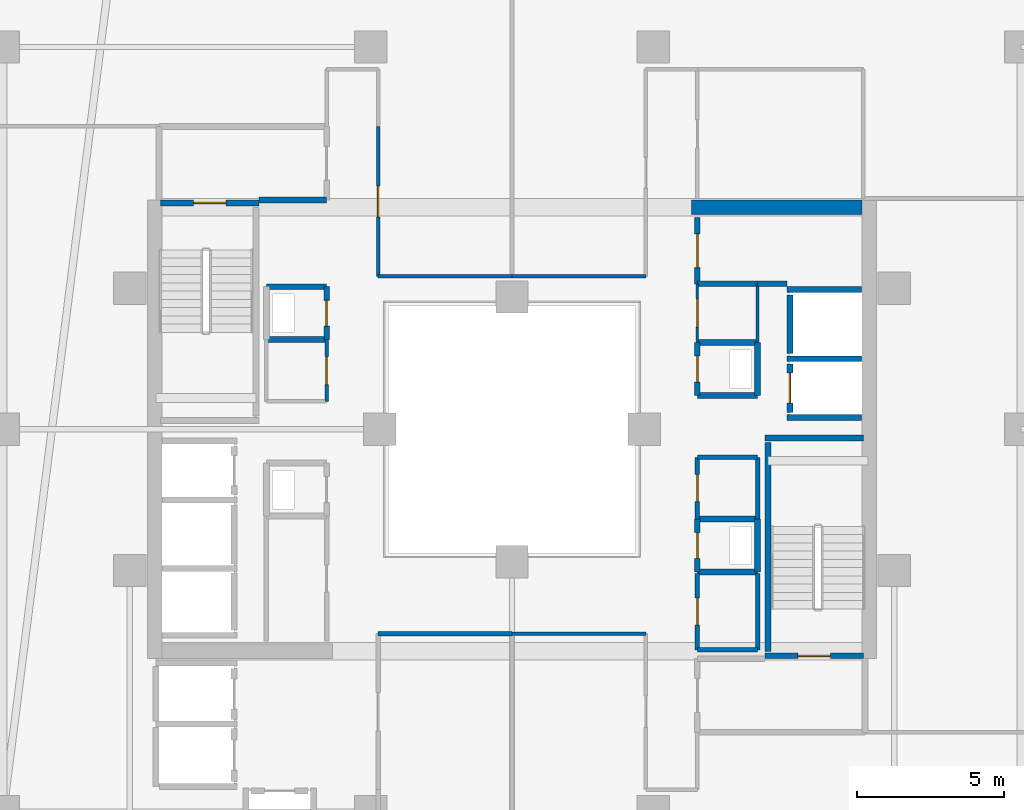
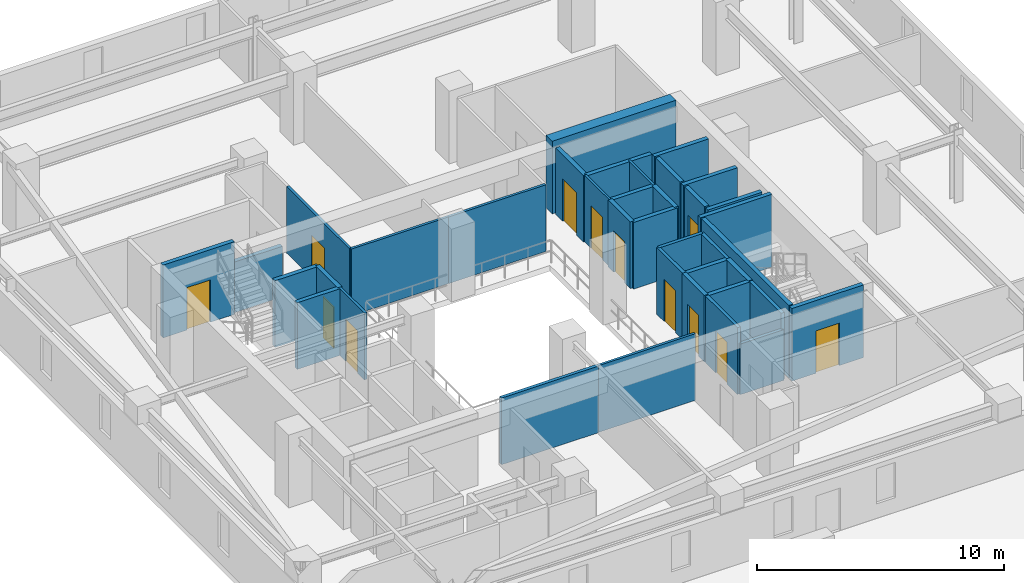
# One storey, part 23 of 30: 39 walls, 12 doors, 12 openings.
"""IFC4 building model written with IfcOpenShell, lengths in metres."""

from ifc_helpers import new_model, si_unit, direction, frame, frame_2d, origin, place, context, subcontext, project, spatial, rectangle, extrude, material, layer, layer_set, type_object, element, fill, save


model = new_model("IFC4")

# Units and contexts
model_context = context("Model", 3, precision=1e-05, world=origin(), true_north=direction((0.0, 1.0)))
body_context = subcontext(model_context, "Body", "Model", "MODEL_VIEW")
ifc_project = project(units=[si_unit("LENGTHUNIT", "METRE"), si_unit("AREAUNIT", "SQUARE_METRE"), si_unit("VOLUMEUNIT", "CUBIC_METRE"), si_unit("PLANEANGLEUNIT", "RADIAN"), si_unit("MASSUNIT", "GRAM", prefix="KILO")], contexts=[model_context])

# Site, building, storey
site_placement = place(None, origin())
site = spatial("IfcSite", under=ifc_project, at=site_placement, CompositionType="ELEMENT")
building_placement = place(site_placement, origin())
building = spatial("IfcBuilding", under=site, at=building_placement, Name="Thornwick Lancets Civic Towers", CompositionType="ELEMENT")
storey_placement = place(building_placement, frame((0.0, 0.0, 149.10009765625)))
storey = spatial("IfcBuildingStorey", under=building, at=storey_placement, Name="L39", CompositionType="ELEMENT", Elevation=149.10009765625)

# Wall, opening, door
ifc_material_1 = material(Name="Concrete blockwork C40/50", Category="masonry")
ifc_layer_1 = layer(ifc_material_1, 0.199951171875, Name="Concrete blockwork C40/50")
ifc_layer_set_1 = layer_set([ifc_layer_1], Name="Concrete blockwork C40/50")
wall_type_1 = type_object("IfcWallType", Name="WALL_COMP_200", PredefinedType="STANDARD", material=ifc_layer_set_1)
wall_1_placement = place(storey_placement, frame((97.949951171875, 29.219970703125, 0.0), z_axis=(0.0, 0.0, 1.0), x_axis=(0.0, -1.0, 0.0)))
wall_1 = element("IfcWall", 1, at=wall_1_placement, inside=storey, type_object=wall_type_1, Name="L39 Hoistway Front Wall FL-B1", PredefinedType="STANDARD", context=body_context, shape_type="SweptSolid", body=[
    extrude(rectangle(XDim=1.639892578125, YDim=0.199951171875, at=frame_2d((0.81982421875, 0.0))), origin(), (0.0, 0.0, 1.0), 3.2998046875),
])
opening_1_placement = place(wall_1_placement, frame((0.31005859375, 0.0, 0.0)))
opening_1 = element("IfcOpeningElement", 2, at=opening_1_placement, cuts=wall_1, Name="Opening LD-FL-B1", PredefinedType="OPENING", context=body_context, shape_type="SweptSolid", body=[
    extrude(rectangle(XDim=1.02001953125, YDim=2.06005859375, at=frame_2d((0.510009765625, 1.030029296875))), frame((0.0, 0.10986328125, 0.0), z_axis=(0.0, -1.0, 0.0), x_axis=(1.0, 0.0, 0.0)), (0.0, 0.0, 1.0), 0.219970703125),
])
ifc_material_2 = material(Name="Brushed bronze stainless steel", Category="steel")
door_type_1 = type_object("IfcDoorType", Name="DOOR_LIFT_SLIDE", OperationType="SLIDING_TO_LEFT", PredefinedType="DOOR", material=ifc_material_2)
door_1_placement = place(opening_1_placement, origin())
door_1 = element("IfcDoor", 3, at=door_1_placement, inside=storey, type_object=door_type_1, Name="L39 Sliding Lift Landing Door LD-FL-B1", OperationType="SLIDING_TO_LEFT", OverallHeight=2.06005859375, OverallWidth=1.02001953125, PredefinedType="DOOR", context=body_context, shape_type="SweptSolid", body=[
    extrude(rectangle(XDim=1.02001953125, YDim=2.06005859375, at=frame_2d((0.510009765625, 1.030029296875))), frame((0.0, 0.02490234375, 0.0), z_axis=(0.0, -1.0, 0.0), x_axis=(1.0, 0.0, 0.0)), (0.0, 0.0, 1.0), 0.050048828125),
])
fill(opening_1, door_1)

# Walls
wall_2_placement = place(storey_placement, frame((97.949951171875, 31.570068359375, 0.0), z_axis=(0.0, 0.0, 1.0), x_axis=(0.0, -1.0, 0.0)))
element("IfcWall", 4, at=wall_2_placement, inside=storey, type_object=wall_type_1, Name="L39 Hoistway Front Wall PL-BH1", PredefinedType="STANDARD", context=body_context, shape_type="SweptSolid", body=[
    extrude(rectangle(XDim=1.989990234375, YDim=0.199951171875, at=frame_2d((0.9951171875, 0.0))), origin(), (0.0, 0.0, 1.0), 3.2998046875),
])
for number, where, z_axis, x_axis, name in (
    (5, (97.85205078125, 29.39990234375, 0.0), (0.0, 0.0, 1.0), (1.0, 0.0, 0.0), "L39 Hoistway Shaft Wall FL-B1 N"),
    (6, (97.85205078125, 27.39990234375, 0.0), (0.0, 0.0, 1.0), (1.0, 0.0, 0.0), "L39 Hoistway Shaft Wall FL-B1 S"),
    (7, (97.85205078125, 31.75, 0.0), (0.0, 0.0, 1.0), (1.0, 0.0, 0.0), "L39 Hoistway Shaft Wall PL-BH1 N"),
):
    element("IfcWall", number, at=place(storey_placement, frame(where, z_axis=z_axis, x_axis=x_axis)), inside=storey, type_object=wall_type_1, Name=name, PredefinedType="STANDARD", context=body_context, shape_type="SweptSolid", body=[
        extrude(rectangle(XDim=2.535888671875, YDim=0.199951171875, at=frame_2d((1.26806640625, 0.0))), origin(), (0.0, 0.0, 1.0), 3.2998046875),
    ])
wall_3_placement = place(storey_placement, frame((79.89990234375, 34.800048828125, 0.0), z_axis=(0.0, 0.0, 1.0), x_axis=(1.0, 0.0, 0.0)))
element("IfcWall", 8, at=wall_3_placement, inside=storey, type_object=wall_type_1, Name="L39 Partition L39-B-FFLOB2 E1", PredefinedType="STANDARD", context=body_context, shape_type="SweptSolid", body=[
    extrude(rectangle(XDim=2.300048828125, YDim=0.199951171875, at=frame_2d((1.14990234375, 0.0))), origin(), (0.0, 0.0, 1.0), 2.5048828125),
])
wall_4_placement = place(storey_placement, frame((94.800048828125, 28.14990234375, 0.0), z_axis=(0.0, 0.0, 1.0), x_axis=(1.0, 0.0, 0.0)))
element("IfcWall", 9, at=wall_4_placement, inside=storey, type_object=wall_type_1, Name="L39 Partition L39-B-DUCT1 E1", PredefinedType="STANDARD", context=body_context, shape_type="SweptSolid", body=[
    extrude(rectangle(XDim=2.050048828125, YDim=0.199951171875, at=frame_2d((1.02490234375, 0.0))), origin(), (0.0, 0.0, 1.0), 3.2998046875),
])
wall_5_placement = place(storey_placement, frame((96.85009765625, 28.14990234375, 0.0), z_axis=(0.0, 0.0, 1.0), x_axis=(0.0, 1.0, 0.0)))
element("IfcWall", 10, at=wall_5_placement, inside=storey, type_object=wall_type_1, Name="L39 Partition L39-B-DUCT1 E2", PredefinedType="STANDARD", context=body_context, shape_type="SweptSolid", body=[
    extrude(rectangle(XDim=1.800048828125, YDim=0.199951171875, at=frame_2d((0.89990234375, 0.0))), origin(), (0.0, 0.0, 1.0), 3.2998046875),
])
wall_6_placement = place(storey_placement, frame((96.85009765625, 29.949951171875, 0.0), z_axis=(0.0, 0.0, 1.0), x_axis=(-1.0, 0.0, 0.0)))
element("IfcWall", 11, at=wall_6_placement, inside=storey, type_object=wall_type_1, Name="L39 Partition L39-B-DUCT1 E3", PredefinedType="STANDARD", context=body_context, shape_type="SweptSolid", body=[
    extrude(rectangle(XDim=2.050048828125, YDim=0.199951171875, at=frame_2d((1.02490234375, 0.0))), origin(), (0.0, 0.0, 1.0), 3.2998046875),
])

# Wall, opening, door
wall_7_placement = place(storey_placement, frame((94.800048828125, 29.949951171875, 0.0), z_axis=(0.0, 0.0, 1.0), x_axis=(0.0, -1.0, 0.0)))
wall_7 = element("IfcWall", 12, at=wall_7_placement, inside=storey, type_object=wall_type_1, Name="L39 Partition L39-B-DUCT1 E4", PredefinedType="STANDARD", context=body_context, shape_type="SweptSolid", body=[
    extrude(rectangle(XDim=1.800048828125, YDim=0.199951171875, at=frame_2d((0.89990234375, 0.0))), origin(), (0.0, 0.0, 1.0), 3.2998046875),
])
opening_2_placement = place(wall_7_placement, frame((0.4599609375, 0.0, 0.0)))
opening_2 = element("IfcOpeningElement", 13, at=opening_2_placement, cuts=wall_7, Name="Opening D-L39-1769", PredefinedType="OPENING", context=body_context, shape_type="SweptSolid", body=[
    extrude(rectangle(XDim=0.8798828125, YDim=2.0400390625, at=frame_2d((0.43994140625, 1.02001953125))), frame((0.0, 0.10986328125, 0.0), z_axis=(0.0, -1.0, 0.0), x_axis=(1.0, 0.0, 0.0)), (0.0, 0.0, 1.0), 0.219970703125),
])
ifc_material_3 = material(Name="Steel riser access doorset", Category="steel")
door_type_2 = type_object("IfcDoorType", Name="DOOR_RISER_850", OperationType="NOTDEFINED", PredefinedType="DOOR", material=ifc_material_3)
door_2_placement = place(opening_2_placement, origin())
door_2 = element("IfcDoor", 14, at=door_2_placement, inside=storey, type_object=door_type_2, Name="L39 East Service Duct 1 Door", OperationType="SINGLE_SWING_RIGHT", OverallHeight=2.0400390625, OverallWidth=0.8798828125, PredefinedType="DOOR", context=body_context, shape_type="SweptSolid", body=[
    extrude(rectangle(XDim=0.8798828125, YDim=2.0400390625, at=frame_2d((0.43994140625, 1.02001953125))), frame((0.0, 0.02490234375, 0.0), z_axis=(0.0, -1.0, 0.0), x_axis=(1.0, 0.0, 0.0)), (0.0, 0.0, 1.0), 0.050048828125),
])
fill(opening_2, door_2)

# Walls
wall_8_placement = place(storey_placement, frame((94.800048828125, 22.14990234375, 0.0), z_axis=(0.0, 0.0, 1.0), x_axis=(1.0, 0.0, 0.0)))
element("IfcWall", 15, at=wall_8_placement, inside=storey, type_object=wall_type_1, Name="L39 Partition L39-B-RISER1 E1", PredefinedType="STANDARD", context=body_context, shape_type="SweptSolid", body=[
    extrude(rectangle(XDim=2.050048828125, YDim=0.199951171875, at=frame_2d((1.02490234375, 0.0))), origin(), (0.0, 0.0, 1.0), 3.2998046875),
])
wall_9_placement = place(storey_placement, frame((96.85009765625, 22.14990234375, 0.0), z_axis=(0.0, 0.0, 1.0), x_axis=(0.0, 1.0, 0.0)))
element("IfcWall", 16, at=wall_9_placement, inside=storey, type_object=wall_type_1, Name="L39 Partition L39-B-RISER1 E2", PredefinedType="STANDARD", context=body_context, shape_type="SweptSolid", body=[
    extrude(rectangle(XDim=1.800048828125, YDim=0.199951171875, at=frame_2d((0.89990234375, 0.0))), origin(), (0.0, 0.0, 1.0), 3.2998046875),
])
wall_10_placement = place(storey_placement, frame((96.85009765625, 23.949951171875, 0.0), z_axis=(0.0, 0.0, 1.0), x_axis=(-1.0, 0.0, 0.0)))
element("IfcWall", 17, at=wall_10_placement, inside=storey, type_object=wall_type_1, Name="L39 Partition L39-B-RISER1 E3", PredefinedType="STANDARD", context=body_context, shape_type="SweptSolid", body=[
    extrude(rectangle(XDim=2.050048828125, YDim=0.199951171875, at=frame_2d((1.02490234375, 0.0))), origin(), (0.0, 0.0, 1.0), 3.2998046875),
])

# Wall, opening, door
wall_11_placement = place(storey_placement, frame((94.800048828125, 23.949951171875, 0.0), z_axis=(0.0, 0.0, 1.0), x_axis=(0.0, -1.0, 0.0)))
wall_11 = element("IfcWall", 18, at=wall_11_placement, inside=storey, type_object=wall_type_1, Name="L39 Partition L39-B-RISER1 E4", PredefinedType="STANDARD", context=body_context, shape_type="SweptSolid", body=[
    extrude(rectangle(XDim=1.800048828125, YDim=0.199951171875, at=frame_2d((0.89990234375, 0.0))), origin(), (0.0, 0.0, 1.0), 3.2998046875),
])
opening_3_placement = place(wall_11_placement, frame((0.4599609375, 0.0, 0.0)))
opening_3 = element("IfcOpeningElement", 19, at=opening_3_placement, cuts=wall_11, Name="Opening D-L39-1770", PredefinedType="OPENING", context=body_context, shape_type="SweptSolid", body=[
    extrude(rectangle(XDim=0.8798828125, YDim=2.0400390625, at=frame_2d((0.43994140625, 1.02001953125))), frame((0.0, 0.10986328125, 0.0), z_axis=(0.0, -1.0, 0.0), x_axis=(1.0, 0.0, 0.0)), (0.0, 0.0, 1.0), 0.219970703125),
])
door_3_placement = place(opening_3_placement, origin())
door_3 = element("IfcDoor", 20, at=door_3_placement, inside=storey, type_object=door_type_2, Name="L39 East Electrical Riser 1 Door", OperationType="SINGLE_SWING_LEFT", OverallHeight=2.0400390625, OverallWidth=0.8798828125, PredefinedType="DOOR", context=body_context, shape_type="SweptSolid", body=[
    extrude(rectangle(XDim=0.8798828125, YDim=2.0400390625, at=frame_2d((0.43994140625, 1.02001953125))), frame((0.0, 0.02490234375, 0.0), z_axis=(0.0, -1.0, 0.0), x_axis=(1.0, 0.0, 0.0)), (0.0, 0.0, 1.0), 0.050048828125),
])
fill(opening_3, door_3)

# Wall
wall_12_placement = place(storey_placement, frame((80.14990234375, 30.050048828125, 0.0), z_axis=(0.0, 0.0, 1.0), x_axis=(1.0, 0.0, 0.0)))
element("IfcWall", 21, at=wall_12_placement, inside=storey, type_object=wall_type_1, Name="L39 Partition L39-B-RISER2 E1", PredefinedType="STANDARD", context=body_context, shape_type="SweptSolid", body=[
    extrude(rectangle(XDim=2.050048828125, YDim=0.199951171875, at=frame_2d((1.02490234375, 0.0))), origin(), (0.0, 0.0, 1.0), 3.2998046875),
])

# Wall, opening, door
wall_13_placement = place(storey_placement, frame((82.199951171875, 30.050048828125, 0.0), z_axis=(0.0, 0.0, 1.0), x_axis=(0.0, 1.0, 0.0)))
wall_13 = element("IfcWall", 22, at=wall_13_placement, inside=storey, type_object=wall_type_1, Name="L39 Partition L39-B-RISER2 E2", PredefinedType="STANDARD", context=body_context, shape_type="SweptSolid", body=[
    extrude(rectangle(XDim=1.800048828125, YDim=0.199951171875, at=frame_2d((0.89990234375, 0.0))), origin(), (0.0, 0.0, 1.0), 3.2998046875),
])
opening_4_placement = place(wall_13_placement, frame((0.4599609375, 0.0, 0.0)))
opening_4 = element("IfcOpeningElement", 23, at=opening_4_placement, cuts=wall_13, Name="Opening D-L39-1772", PredefinedType="OPENING", context=body_context, shape_type="SweptSolid", body=[
    extrude(rectangle(XDim=0.8798828125, YDim=2.0400390625, at=frame_2d((0.43994140625, 1.02001953125))), frame((0.0, 0.10986328125, 0.0), z_axis=(0.0, -1.0, 0.0), x_axis=(1.0, 0.0, 0.0)), (0.0, 0.0, 1.0), 0.219970703125),
])
door_4_placement = place(opening_4_placement, origin())
door_4 = element("IfcDoor", 24, at=door_4_placement, inside=storey, type_object=door_type_2, Name="L39 West Service Riser 2 Door", OperationType="SINGLE_SWING_LEFT", OverallHeight=2.0400390625, OverallWidth=0.8798828125, PredefinedType="DOOR", context=body_context, shape_type="SweptSolid", body=[
    extrude(rectangle(XDim=0.8798828125, YDim=2.0400390625, at=frame_2d((0.43994140625, 1.02001953125))), frame((0.0, 0.02490234375, 0.0), z_axis=(0.0, -1.0, 0.0), x_axis=(1.0, 0.0, 0.0)), (0.0, 0.0, 1.0), 0.050048828125),
])
fill(opening_4, door_4)

# Wall
wall_14_placement = place(storey_placement, frame((82.199951171875, 31.85009765625, 0.0), z_axis=(0.0, 0.0, 1.0), x_axis=(-1.0, 0.0, 0.0)))
element("IfcWall", 25, at=wall_14_placement, inside=storey, type_object=wall_type_1, Name="L39 Partition L39-B-RISER2 E3", PredefinedType="STANDARD", context=body_context, shape_type="SweptSolid", body=[
    extrude(rectangle(XDim=2.050048828125, YDim=0.199951171875, at=frame_2d((1.02490234375, 0.0))), origin(), (0.0, 0.0, 1.0), 3.2998046875),
])

# Wall, opening, door
wall_15_placement = place(storey_placement, frame((94.800048828125, 31.949951171875, 0.0), z_axis=(0.0, 0.0, 1.0), x_axis=(0.0, 1.0, 0.0)))
wall_15 = element("IfcWall", 26, at=wall_15_placement, inside=storey, type_object=wall_type_1, Name="L39 Partition L39-B-ITR2 E1", PredefinedType="STANDARD", context=body_context, shape_type="SweptSolid", body=[
    extrude(rectangle(XDim=2.25, YDim=0.199951171875, at=frame_2d((1.125, 0.0))), origin(), (0.0, 0.0, 1.0), 3.2998046875),
])
opening_5_placement = place(wall_15_placement, frame((0.550048828125, 0.0, 0.0)))
opening_5 = element("IfcOpeningElement", 27, at=opening_5_placement, cuts=wall_15, Name="Opening D-L39-1776", PredefinedType="OPENING", context=body_context, shape_type="SweptSolid", body=[
    extrude(rectangle(XDim=1.14990234375, YDim=2.10009765625, at=frame_2d((0.574951171875, 1.050048828125))), frame((0.0, 0.10986328125, 0.0), z_axis=(0.0, -1.0, 0.0), x_axis=(1.0, 0.0, 0.0)), (0.0, 0.0, 1.0), 0.219970703125),
])
ifc_material_4 = material(Name="Glazed fire-resisting steel", Category="steel")
door_type_3 = type_object("IfcDoorType", Name="DOOR_LOBBY_FD60", OperationType="NOTDEFINED", PredefinedType="DOOR", material=ifc_material_4)
door_5_placement = place(opening_5_placement, origin())
door_5 = element("IfcDoor", 28, at=door_5_placement, inside=storey, type_object=door_type_3, Name="L39 Tower B Statutory Core Archive Door", OperationType="SINGLE_SWING_LEFT", OverallHeight=2.10009765625, OverallWidth=1.14990234375, PredefinedType="DOOR", context=body_context, shape_type="SweptSolid", body=[
    extrude(rectangle(XDim=1.14990234375, YDim=2.10009765625, at=frame_2d((0.574951171875, 1.050048828125))), frame((0.0, 0.02490234375, 0.0), z_axis=(0.0, -1.0, 0.0), x_axis=(1.0, 0.0, 0.0)), (0.0, 0.0, 1.0), 0.050048828125),
])
fill(opening_5, door_5)

# Walls
wall_16_placement = place(storey_placement, frame((97.85205078125, 31.949951171875, 0.0), z_axis=(0.0, 0.0, 1.0), x_axis=(-1.0, 0.0, 0.0)))
element("IfcWall", 29, at=wall_16_placement, inside=storey, type_object=wall_type_1, Name="L39 Partition L39-B-ITR2 E4", PredefinedType="STANDARD", context=body_context, shape_type="SweptSolid", body=[
    extrude(rectangle(XDim=1.001953125, YDim=0.199951171875, at=frame_2d((0.5009765625, 0.0))), origin(), (0.0, 0.0, 1.0), 3.2998046875),
])
wall_17_placement = place(storey_placement, frame((96.85009765625, 31.949951171875, 0.0), z_axis=(0.0, 0.0, 1.0), x_axis=(-1.0, 0.0, 0.0)))
element("IfcWall", 30, at=wall_17_placement, inside=storey, type_object=wall_type_1, Name="L39 Partition L39-B-ITR2 E5", PredefinedType="STANDARD", context=body_context, shape_type="SweptSolid", body=[
    extrude(rectangle(XDim=2.050048828125, YDim=0.199951171875, at=frame_2d((1.02490234375, 0.0))), origin(), (0.0, 0.0, 1.0), 3.2998046875),
])
ifc_material_5 = material(Name="Concrete C50/60", Category="concrete")
ifc_layer_2 = layer(ifc_material_5, 0.5, Name="Concrete C50/60")
ifc_layer_set_2 = layer_set([ifc_layer_2], Name="Concrete C50/60")
wall_type_2 = type_object("IfcWallType", Name="WALL_CORE_500", PredefinedType="SHEAR", material=ifc_layer_set_2)
wall_18_placement = place(storey_placement, frame((94.60009765625, 34.550048828125, 0.0), z_axis=(0.0, 0.0, 1.0), x_axis=(1.0, 0.0, 0.0)))
element("IfcWall", 31, at=wall_18_placement, inside=storey, type_object=wall_type_2, Name="L39 Split Core B1 Shear Wall N", PredefinedType="SHEAR", context=body_context, shape_type="SweptSolid", body=[
    extrude(rectangle(XDim=5.7998046875, YDim=0.5, at=frame_2d((2.89990234375, 0.0))), origin(), (0.0, 0.0, 1.0), 3.599853515625),
])

# Wall, opening, door
ifc_material_6 = material(Name="Lightweight cellular office partition")
ifc_layer_3 = layer(ifc_material_6, 0.10009765625, Name="Lightweight cellular office partition")
ifc_layer_set_3 = layer_set([ifc_layer_3], Name="Lightweight cellular office partition")
wall_type_3 = type_object("IfcWallType", Name="WALL_PART_100", PredefinedType="PARTITIONING", material=ifc_layer_set_3)
wall_19_placement = place(storey_placement, frame((94.800048828125, 29.949951171875, 0.0), z_axis=(0.0, 0.0, 1.0), x_axis=(0.0, 1.0, 0.0)))
wall_19 = element("IfcWall", 32, at=wall_19_placement, inside=storey, type_object=wall_type_3, Name="L39 Partition L39-B-CLN E1", PredefinedType="PARTITIONING", context=body_context, shape_type="SweptSolid", body=[
    extrude(rectangle(XDim=2.0, YDim=0.10009765625, at=frame_2d((1.0, 0.0))), origin(), (0.0, 0.0, 1.0), 3.2998046875),
])
opening_6_placement = place(wall_19_placement, frame((0.52490234375, 0.0, 0.0)))
opening_6 = element("IfcOpeningElement", 33, at=opening_6_placement, cuts=wall_19, Name="Opening D-L39-1775", PredefinedType="OPENING", context=body_context, shape_type="SweptSolid", body=[
    extrude(rectangle(XDim=0.949951171875, YDim=2.10009765625, at=frame_2d((0.47509765625, 1.050048828125))), frame((0.0, 0.06005859375, 0.0), z_axis=(0.0, -1.0, 0.0), x_axis=(1.0, 0.0, 0.0)), (0.0, 0.0, 1.0), 0.1201171875),
])
ifc_material_7 = material(Name="European oak acoustic doorset")
door_type_4 = type_object("IfcDoorType", Name="DOOR_OFFICE_950", OperationType="NOTDEFINED", PredefinedType="DOOR", material=ifc_material_7)
door_6_placement = place(opening_6_placement, origin())
door_6 = element("IfcDoor", 34, at=door_6_placement, inside=storey, type_object=door_type_4, Name="L39 Tower B Cleaners Store Door", OperationType="SINGLE_SWING_RIGHT", OverallHeight=2.10009765625, OverallWidth=0.949951171875, PredefinedType="DOOR", context=body_context, shape_type="SweptSolid", body=[
    extrude(rectangle(XDim=0.949951171875, YDim=2.10009765625, at=frame_2d((0.47509765625, 1.050048828125))), frame((0.0, 0.02490234375, 0.0), z_axis=(0.0, -1.0, 0.0), x_axis=(1.0, 0.0, 0.0)), (0.0, 0.0, 1.0), 0.050048828125),
])
fill(opening_6, door_6)

# Wall
wall_20_placement = place(storey_placement, frame((96.85009765625, 31.949951171875, 0.0), z_axis=(0.0, 0.0, 1.0), x_axis=(0.0, -1.0, 0.0)))
element("IfcWall", 35, at=wall_20_placement, inside=storey, type_object=wall_type_3, Name="L39 Partition L39-B-CLN E3", PredefinedType="PARTITIONING", context=body_context, shape_type="SweptSolid", body=[
    extrude(rectangle(XDim=2.0, YDim=0.10009765625, at=frame_2d((1.0, 0.0))), origin(), (0.0, 0.0, 1.0), 3.2998046875),
])

# Wall, opening, door
ifc_material_8 = material(Name="Acoustic gypsum board partition")
ifc_layer_4 = layer(ifc_material_8, 0.1201171875, Name="Acoustic gypsum board partition")
ifc_layer_set_4 = layer_set([ifc_layer_4], Name="Acoustic gypsum board partition")
wall_type_4 = type_object("IfcWallType", Name="WALL_PART_120", PredefinedType="PARTITIONING", material=ifc_layer_set_4)
wall_21_placement = place(storey_placement, frame((82.199951171875, 30.050048828125, 0.0), z_axis=(0.0, 0.0, 1.0), x_axis=(0.0, -1.0, 0.0)))
wall_21 = element("IfcWall", 36, at=wall_21_placement, inside=storey, type_object=wall_type_4, Name="L39 Partition L39-B-ITR E4", PredefinedType="PARTITIONING", context=body_context, shape_type="SweptSolid", body=[
    extrude(rectangle(XDim=2.10009765625, YDim=0.1201171875, at=frame_2d((1.050048828125, 0.0))), origin(), (0.0, 0.0, 1.0), 3.2998046875),
])
opening_7_placement = place(wall_21_placement, frame((0.574951171875, 0.0, 0.0)))
opening_7 = element("IfcOpeningElement", 37, at=opening_7_placement, cuts=wall_21, Name="Opening D-L39-1778", PredefinedType="OPENING", context=body_context, shape_type="SweptSolid", body=[
    extrude(rectangle(XDim=0.949951171875, YDim=2.10009765625, at=frame_2d((0.47509765625, 1.050048828125))), frame((0.0, 0.070068359375, 0.0), z_axis=(0.0, -1.0, 0.0), x_axis=(1.0, 0.0, 0.0)), (0.0, 0.0, 1.0), 0.14013671875),
])
door_7_placement = place(opening_7_placement, origin())
door_7 = element("IfcDoor", 38, at=door_7_placement, inside=storey, type_object=door_type_4, Name="L39 Tower B Comms Patch Room Door", OperationType="SINGLE_SWING_LEFT", OverallHeight=2.10009765625, OverallWidth=0.949951171875, PredefinedType="DOOR", context=body_context, shape_type="SweptSolid", body=[
    extrude(rectangle(XDim=0.949951171875, YDim=2.10009765625, at=frame_2d((0.47509765625, 1.050048828125))), frame((0.0, 0.02490234375, 0.0), z_axis=(0.0, -1.0, 0.0), x_axis=(1.0, 0.0, 0.0)), (0.0, 0.0, 1.0), 0.050048828125),
])
fill(opening_7, door_7)

# Walls
for number, where, z_axis, x_axis, name in (
    (39, (88.5, 20.050048828125, 0.0), (0.0, 0.0, 1.0), (1.0, 0.0, 0.0), "L39 Partition L39-B-W1 E3"),
    (40, (93.050048828125, 32.199951171875, 0.0), (0.0, 0.0, 1.0), (-1.0, 0.0, 0.0), "L39 Partition L39-B-E1 E5"),
):
    element("IfcWall", number, at=place(storey_placement, frame(where, z_axis=z_axis, x_axis=x_axis)), inside=storey, type_object=wall_type_4, Name=name, PredefinedType="PARTITIONING", context=body_context, shape_type="SweptSolid", body=[
        extrude(rectangle(XDim=4.550048828125, YDim=0.1201171875, at=frame_2d((2.27490234375, 0.0))), origin(), (0.0, 0.0, 1.0), 3.2998046875),
    ])

# Wall, opening, door
wall_22_placement = place(storey_placement, frame((83.949951171875, 32.199951171875, 0.0), z_axis=(0.0, 0.0, 1.0), x_axis=(0.0, 1.0, 0.0)))
wall_22 = element("IfcWall", 41, at=wall_22_placement, inside=storey, type_object=wall_type_4, Name="L39 Partition L39-B-E3 E1", PredefinedType="PARTITIONING", context=body_context, shape_type="SweptSolid", body=[
    extrude(rectangle(XDim=5.10009765625, YDim=0.1201171875, at=frame_2d((2.550048828125, 0.0))), origin(), (0.0, 0.0, 1.0), 3.2998046875),
])
opening_8_placement = place(wall_22_placement, frame((2.02490234375, 0.0, 0.0)))
opening_8 = element("IfcOpeningElement", 42, at=opening_8_placement, cuts=wall_22, Name="Opening D-L39-1788", PredefinedType="OPENING", context=body_context, shape_type="SweptSolid", body=[
    extrude(rectangle(XDim=1.050048828125, YDim=2.10009765625, at=frame_2d((0.52490234375, 1.050048828125))), frame((0.0, 0.070068359375, 0.0), z_axis=(0.0, -1.0, 0.0), x_axis=(1.0, 0.0, 0.0)), (0.0, 0.0, 1.0), 0.14013671875),
])
ifc_material_9 = material(Name="Glazed European oak executive doorset")
door_type_5 = type_object("IfcDoorType", Name="DOOR_OFFICE_1050", OperationType="NOTDEFINED", PredefinedType="DOOR", material=ifc_material_9)
door_8_placement = place(opening_8_placement, origin())
door_8 = element("IfcDoor", 43, at=door_8_placement, inside=storey, type_object=door_type_5, Name="L39 Tower B Civic Seminar Room Door", OperationType="SINGLE_SWING_LEFT", OverallHeight=2.10009765625, OverallWidth=1.050048828125, PredefinedType="DOOR", context=body_context, shape_type="SweptSolid", body=[
    extrude(rectangle(XDim=1.050048828125, YDim=2.10009765625, at=frame_2d((0.52490234375, 1.050048828125))), frame((0.0, 0.02490234375, 0.0), z_axis=(0.0, -1.0, 0.0), x_axis=(1.0, 0.0, 0.0)), (0.0, 0.0, 1.0), 0.050048828125),
])
fill(opening_8, door_8)

# Walls
wall_23_placement = place(storey_placement, frame((88.5, 32.199951171875, 0.0), z_axis=(0.0, 0.0, 1.0), x_axis=(-1.0, 0.0, 0.0)))
element("IfcWall", 44, at=wall_23_placement, inside=storey, type_object=wall_type_4, Name="L39 Partition L39-B-E3 E11", PredefinedType="PARTITIONING", context=body_context, shape_type="SweptSolid", body=[
    extrude(rectangle(XDim=4.550048828125, YDim=0.1201171875, at=frame_2d((2.27490234375, 0.0))), origin(), (0.0, 0.0, 1.0), 3.2998046875),
])
ifc_material_10 = material(Name="Twin-stud acoustic gypsum board")
ifc_layer_5 = layer(ifc_material_10, 0.14990234375, Name="Twin-stud acoustic gypsum board")
ifc_layer_set_5 = layer_set([ifc_layer_5], Name="Twin-stud acoustic gypsum board")
wall_type_5 = type_object("IfcWallType", Name="WALL_PART_150", PredefinedType="PARTITIONING", material=ifc_layer_set_5)
wall_24_placement = place(storey_placement, frame((94.800048828125, 19.5, 0.0), z_axis=(0.0, 0.0, 1.0), x_axis=(1.0, 0.0, 0.0)))
element("IfcWall", 45, at=wall_24_placement, inside=storey, type_object=wall_type_5, Name="L39 Partition L39-B-MWC E1", PredefinedType="PARTITIONING", context=body_context, shape_type="SweptSolid", body=[
    extrude(rectangle(XDim=2.050048828125, YDim=0.14990234375, at=frame_2d((1.02490234375, 0.0))), origin(), (0.0, 0.0, 1.0), 2.5048828125),
])
wall_25_placement = place(storey_placement, frame((96.85009765625, 19.5, 0.0), z_axis=(0.0, 0.0, 1.0), x_axis=(0.0, 1.0, 0.0)))
element("IfcWall", 46, at=wall_25_placement, inside=storey, type_object=wall_type_5, Name="L39 Partition L39-B-MWC E2", PredefinedType="PARTITIONING", context=body_context, shape_type="SweptSolid", body=[
    extrude(rectangle(XDim=2.60009765625, YDim=0.14990234375, at=frame_2d((1.300048828125, 0.0))), origin(), (0.0, 0.0, 1.0), 3.2998046875),
])

# Wall, opening, door
wall_26_placement = place(storey_placement, frame((94.800048828125, 22.10009765625, 0.0), z_axis=(0.0, 0.0, 1.0), x_axis=(0.0, -1.0, 0.0)))
wall_26 = element("IfcWall", 47, at=wall_26_placement, inside=storey, type_object=wall_type_5, Name="L39 Partition L39-B-MWC E4", PredefinedType="PARTITIONING", context=body_context, shape_type="SweptSolid", body=[
    extrude(rectangle(XDim=2.60009765625, YDim=0.14990234375, at=frame_2d((1.300048828125, 0.0))), origin(), (0.0, 0.0, 1.0), 3.2998046875),
])
opening_9_placement = place(wall_26_placement, frame((0.840087890625, 0.0, 0.0)))
opening_9 = element("IfcOpeningElement", 48, at=opening_9_placement, cuts=wall_26, Name="Opening D-L39-1773", PredefinedType="OPENING", context=body_context, shape_type="SweptSolid", body=[
    extrude(rectangle(XDim=0.919921875, YDim=2.080078125, at=frame_2d((0.4599609375, 1.0400390625))), frame((0.0, 0.0849609375, 0.0), z_axis=(0.0, -1.0, 0.0), x_axis=(1.0, 0.0, 0.0)), (0.0, 0.0, 1.0), 0.169921875),
])
ifc_material_11 = material(Name="Moisture-resistant oak doorset")
door_type_6 = type_object("IfcDoorType", Name="DOOR_WC_900", OperationType="NOTDEFINED", PredefinedType="DOOR", material=ifc_material_11)
door_9_placement = place(opening_9_placement, origin())
door_9 = element("IfcDoor", 49, at=door_9_placement, inside=storey, type_object=door_type_6, Name="L39 Tower B Male WC Door", OperationType="SINGLE_SWING_RIGHT", OverallHeight=2.080078125, OverallWidth=0.919921875, PredefinedType="DOOR", context=body_context, shape_type="SweptSolid", body=[
    extrude(rectangle(XDim=0.919921875, YDim=2.080078125, at=frame_2d((0.4599609375, 1.0400390625))), frame((0.0, 0.02490234375, 0.0), z_axis=(0.0, -1.0, 0.0), x_axis=(1.0, 0.0, 0.0)), (0.0, 0.0, 1.0), 0.050048828125),
])
fill(opening_9, door_9)

wall_27_placement = place(storey_placement, frame((94.800048828125, 23.949951171875, 0.0), z_axis=(0.0, 0.0, 1.0), x_axis=(0.0, 1.0, 0.0)))
wall_27 = element("IfcWall", 50, at=wall_27_placement, inside=storey, type_object=wall_type_5, Name="L39 Partition L39-B-AWC E1", PredefinedType="PARTITIONING", context=body_context, shape_type="SweptSolid", body=[
    extrude(rectangle(XDim=2.10009765625, YDim=0.14990234375, at=frame_2d((1.050048828125, 0.0))), origin(), (0.0, 0.0, 1.0), 3.2998046875),
])
opening_10_placement = place(wall_27_placement, frame((0.590087890625, 0.0, 0.0)))
opening_10 = element("IfcOpeningElement", 51, at=opening_10_placement, cuts=wall_27, Name="Opening D-L39-1774", PredefinedType="OPENING", context=body_context, shape_type="SweptSolid", body=[
    extrude(rectangle(XDim=0.919921875, YDim=2.080078125, at=frame_2d((0.4599609375, 1.0400390625))), frame((0.0, 0.0849609375, 0.0), z_axis=(0.0, -1.0, 0.0), x_axis=(1.0, 0.0, 0.0)), (0.0, 0.0, 1.0), 0.169921875),
])
door_10_placement = place(opening_10_placement, origin())
door_10 = element("IfcDoor", 52, at=door_10_placement, inside=storey, type_object=door_type_6, Name="L39 Tower B Accessible WC Door", OperationType="SINGLE_SWING_LEFT", OverallHeight=2.080078125, OverallWidth=0.919921875, PredefinedType="DOOR", context=body_context, shape_type="SweptSolid", body=[
    extrude(rectangle(XDim=0.919921875, YDim=2.080078125, at=frame_2d((0.4599609375, 1.0400390625))), frame((0.0, 0.02490234375, 0.0), z_axis=(0.0, -1.0, 0.0), x_axis=(1.0, 0.0, 0.0)), (0.0, 0.0, 1.0), 0.050048828125),
])
fill(opening_10, door_10)

# Walls
wall_28_placement = place(storey_placement, frame((94.800048828125, 26.050048828125, 0.0), z_axis=(0.0, 0.0, 1.0), x_axis=(1.0, 0.0, 0.0)))
element("IfcWall", 53, at=wall_28_placement, inside=storey, type_object=wall_type_5, Name="L39 Partition L39-B-AWC E2", PredefinedType="PARTITIONING", context=body_context, shape_type="SweptSolid", body=[
    extrude(rectangle(XDim=2.050048828125, YDim=0.14990234375, at=frame_2d((1.02490234375, 0.0))), origin(), (0.0, 0.0, 1.0), 3.2998046875),
])
wall_29_placement = place(storey_placement, frame((96.85009765625, 26.050048828125, 0.0), z_axis=(0.0, 0.0, 1.0), x_axis=(0.0, -1.0, 0.0)))
element("IfcWall", 54, at=wall_29_placement, inside=storey, type_object=wall_type_5, Name="L39 Partition L39-B-AWC E3", PredefinedType="PARTITIONING", context=body_context, shape_type="SweptSolid", body=[
    extrude(rectangle(XDim=2.10009765625, YDim=0.14990234375, at=frame_2d((1.050048828125, 0.0))), origin(), (0.0, 0.0, 1.0), 3.2998046875),
])
wall_30_placement = place(storey_placement, frame((83.949951171875, 20.050048828125, 0.0), z_axis=(0.0, 0.0, 1.0), x_axis=(1.0, 0.0, 0.0)))
element("IfcWall", 55, at=wall_30_placement, inside=storey, type_object=wall_type_5, Name="L39 Partition L39-B-W2 E2", PredefinedType="PARTITIONING", context=body_context, shape_type="SweptSolid", body=[
    extrude(rectangle(XDim=4.550048828125, YDim=0.14990234375, at=frame_2d((2.27490234375, 0.0))), origin(), (0.0, 0.0, 1.0), 3.2998046875),
])

# Wall, opening, door
ifc_material_12 = material(Name="Concrete C40/50", Category="concrete")
ifc_layer_6 = layer(ifc_material_12, 0.199951171875, Name="Concrete C40/50")
ifc_layer_set_6 = layer_set([ifc_layer_6], Name="Concrete C40/50")
wall_type_6 = type_object("IfcWallType", Name="WALL_SHAFT_200", PredefinedType="SHEAR", material=ifc_layer_set_6)
wall_31_placement = place(storey_placement, frame((100.449951171875, 19.300048828125, 0.0), z_axis=(0.0, 0.0, 1.0), x_axis=(-1.0, 0.0, 0.0)))
wall_31 = element("IfcWall", 56, at=wall_31_placement, inside=storey, type_object=wall_type_6, Name="L39 ST-B1 Fire Stair Core Wall NEAR", PredefinedType="SHEAR", context=body_context, shape_type="SweptSolid", body=[
    extrude(rectangle(XDim=3.349853515625, YDim=0.199951171875, at=frame_2d((1.6748046875, 0.0))), origin(), (0.0, 0.0, 1.0), 3.599853515625),
])
opening_11_placement = place(wall_31_placement, frame((1.125, 0.0, 0.0)))
opening_11 = element("IfcOpeningElement", 57, at=opening_11_placement, cuts=wall_31, Name="Opening D-ST-B1-L39", PredefinedType="OPENING", context=body_context, shape_type="SweptSolid", body=[
    extrude(rectangle(XDim=1.10009765625, YDim=2.10009765625, at=frame_2d((0.550048828125, 1.050048828125))), frame((0.0, 0.10986328125, 0.0), z_axis=(0.0, -1.0, 0.0), x_axis=(1.0, 0.0, 0.0)), (0.0, 0.0, 1.0), 0.219970703125),
])
ifc_material_13 = material(Name="Fire-resisting steel and hardwood", Category="steel")
door_type_7 = type_object("IfcDoorType", Name="DOOR_STAIR_FD60", OperationType="NOTDEFINED", PredefinedType="DOOR", material=ifc_material_13)
door_11_placement = place(opening_11_placement, origin())
door_11 = element("IfcDoor", 58, at=door_11_placement, inside=storey, type_object=door_type_7, Name="L39 ST-B1 Exit Stair Door", OperationType="SINGLE_SWING_RIGHT", OverallHeight=2.10009765625, OverallWidth=1.10009765625, PredefinedType="DOOR", context=body_context, shape_type="SweptSolid", body=[
    extrude(rectangle(XDim=1.10009765625, YDim=2.10009765625, at=frame_2d((0.550048828125, 1.050048828125))), frame((0.0, 0.02490234375, 0.0), z_axis=(0.0, -1.0, 0.0), x_axis=(1.0, 0.0, 0.0)), (0.0, 0.0, 1.0), 0.050048828125),
])
fill(opening_11, door_11)

# Walls
wall_32_placement = place(storey_placement, frame((97.10009765625, 26.699951171875, 0.0), z_axis=(0.0, 0.0, 1.0), x_axis=(1.0, 0.0, 0.0)))
element("IfcWall", 59, at=wall_32_placement, inside=storey, type_object=wall_type_6, Name="L39 ST-B1 Fire Stair Core Wall FAR", PredefinedType="SHEAR", context=body_context, shape_type="SweptSolid", body=[
    extrude(rectangle(XDim=3.349853515625, YDim=0.199951171875, at=frame_2d((1.6748046875, 0.0))), origin(), (0.0, 0.0, 1.0), 3.599853515625),
])
wall_33_placement = place(storey_placement, frame((97.202880859375, 26.550048828125, 0.0), z_axis=(0.0, 0.0, 1.0), x_axis=(0.0, -1.0, 0.0)))
element("IfcWall", 60, at=wall_33_placement, inside=storey, type_object=wall_type_6, Name="L39 ST-B1 Fire Stair Core Wall RIGHT", PredefinedType="SHEAR", context=body_context, shape_type="SweptSolid", body=[
    extrude(rectangle(XDim=7.10009765625, YDim=0.199951171875, at=frame_2d((3.550048828125, 0.0))), origin(), (0.0, 0.0, 1.0), 3.599853515625),
])

# Wall, opening, door
wall_34_placement = place(storey_placement, frame((76.550048828125, 34.699951171875, 0.0), z_axis=(0.0, 0.0, 1.0), x_axis=(1.0, 0.0, 0.0)))
wall_34 = element("IfcWall", 61, at=wall_34_placement, inside=storey, type_object=wall_type_6, Name="L39 ST-B2 Fire Stair Core Wall NEAR", PredefinedType="SHEAR", context=body_context, shape_type="SweptSolid", body=[
    extrude(rectangle(XDim=3.349853515625, YDim=0.199951171875, at=frame_2d((1.6748046875, 0.0))), origin(), (0.0, 0.0, 1.0), 3.599853515625),
])
opening_12_placement = place(wall_34_placement, frame((1.125, 0.0, 0.0)))
opening_12 = element("IfcOpeningElement", 62, at=opening_12_placement, cuts=wall_34, Name="Opening D-ST-B2-L39", PredefinedType="OPENING", context=body_context, shape_type="SweptSolid", body=[
    extrude(rectangle(XDim=1.10009765625, YDim=2.10009765625, at=frame_2d((0.550048828125, 1.050048828125))), frame((0.0, 0.10986328125, 0.0), z_axis=(0.0, -1.0, 0.0), x_axis=(1.0, 0.0, 0.0)), (0.0, 0.0, 1.0), 0.219970703125),
])
door_12_placement = place(opening_12_placement, origin())
door_12 = element("IfcDoor", 63, at=door_12_placement, inside=storey, type_object=door_type_7, Name="L39 ST-B2 Exit Stair Door", OperationType="SINGLE_SWING_LEFT", OverallHeight=2.10009765625, OverallWidth=1.10009765625, PredefinedType="DOOR", context=body_context, shape_type="SweptSolid", body=[
    extrude(rectangle(XDim=1.10009765625, YDim=2.10009765625, at=frame_2d((0.550048828125, 1.050048828125))), frame((0.0, 0.02490234375, 0.0), z_axis=(0.0, -1.0, 0.0), x_axis=(1.0, 0.0, 0.0)), (0.0, 0.0, 1.0), 0.050048828125),
])
fill(opening_12, door_12)

save(model, "model.ifc")
